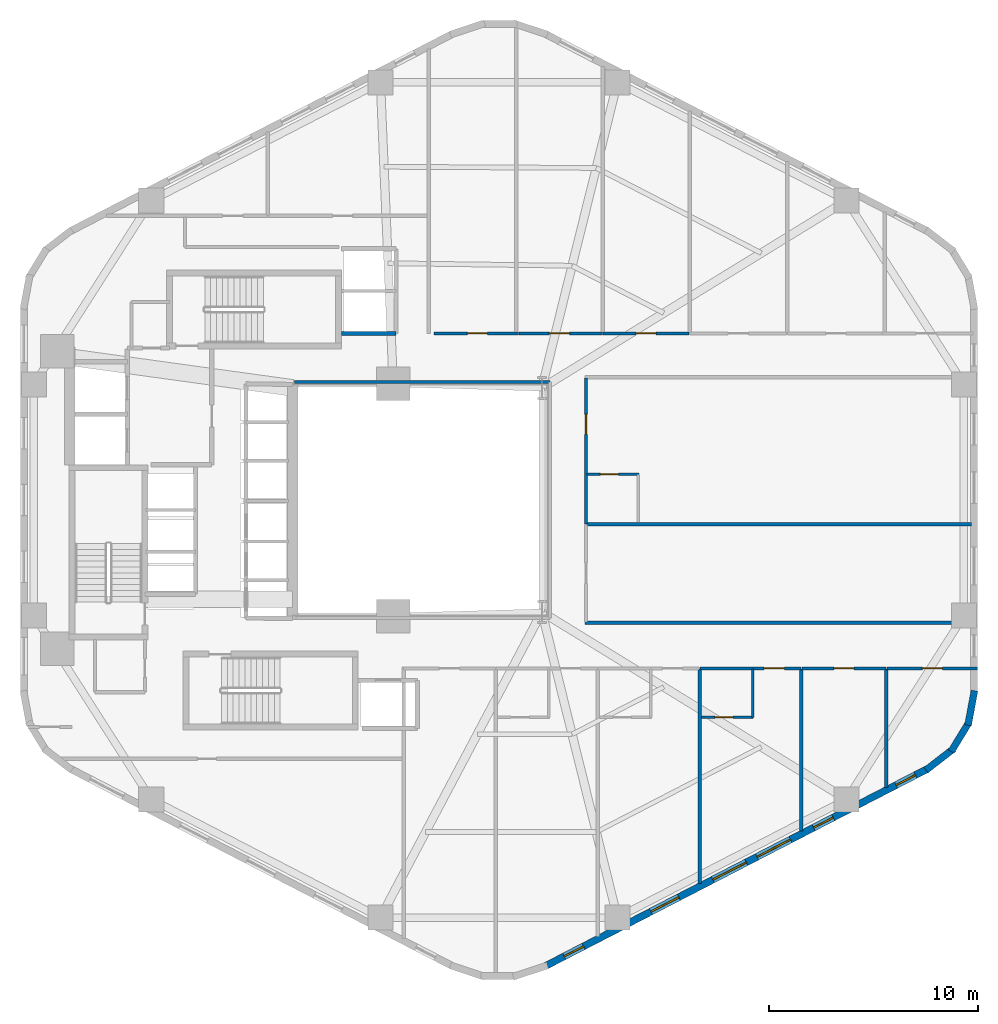
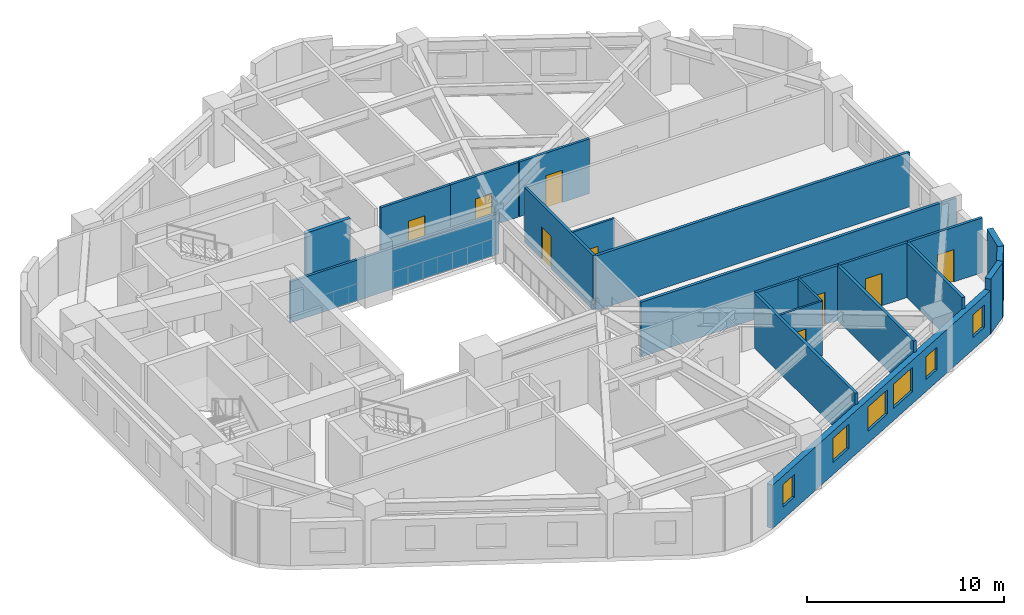
# One storey, part 4 of 7: 21 walls, 9 doors, 6 windows, 15 openings.
"""IFC4 building model written with IfcOpenShell, lengths in metres."""

from ifc_helpers import new_model, si_unit, direction, frame, frame_2d, origin, place, context, subcontext, project, spatial, rectangle, extrude, material, layer, layer_set, type_object, element, fill, save


model = new_model("IFC4")

# Units and contexts
model_context = context("Model", 3, precision=1e-05, world=origin(), true_north=direction((0.0, 1.0)))
body_context = subcontext(model_context, "Body", "Model", "MODEL_VIEW")
ifc_project = project(units=[si_unit("LENGTHUNIT", "METRE"), si_unit("AREAUNIT", "SQUARE_METRE"), si_unit("VOLUMEUNIT", "CUBIC_METRE"), si_unit("PLANEANGLEUNIT", "RADIAN"), si_unit("MASSUNIT", "GRAM", prefix="KILO"), si_unit("THERMODYNAMICTEMPERATUREUNIT", "KELVIN"), si_unit("POWERUNIT", "WATT")], contexts=[model_context])

# Site, building, storey
site_placement = place(None, origin())
site = spatial("IfcSite", under=ifc_project, at=site_placement, CompositionType="ELEMENT")
building_placement = place(site_placement, origin())
building = spatial("IfcBuilding", under=site, at=building_placement, Name="Skarre Station Tower", CompositionType="ELEMENT")
storey_placement = place(building_placement, frame((0.0, 0.0, 74.449951171875)))
storey = spatial("IfcBuildingStorey", under=building, at=storey_placement, Name="L19", CompositionType="ELEMENT", Elevation=74.449951171875)

# Wall
ifc_material_1 = material(Name="Acoustic Steel-Stud Gypsum Partition", Category="steel")
ifc_layer_1 = layer(ifc_material_1, 0.14990234375, Name="Acoustic Steel-Stud Gypsum Partition")
ifc_layer_set_1 = layer_set([ifc_layer_1], Name="Acoustic Steel-Stud Gypsum Partition")
wall_type_1 = type_object("IfcWallType", Name="Fire-Rated Corridor Acoustic Partition 150", PredefinedType="PARTITIONING", material=ifc_layer_set_1)
wall_1_placement = place(storey_placement, frame((39.840087890625, 29.639892578125, 0.0), z_axis=(0.0, 0.0, 1.0), x_axis=(-1.0, 0.0, 0.0)))
element("IfcWall", 1, at=wall_1_placement, inside=storey, type_object=wall_type_1, Name="L19 Interior Partition WL-PT-L19-ATRW-N", PredefinedType="PARTITIONING", context=body_context, shape_type="SweptSolid", body=[
    extrude(rectangle(XDim=12.2001953125, YDim=0.14990234375, at=frame_2d((6.10009765625, 0.0))), origin(), (0.0, 0.0, 1.0), 2.531005859375),
])

# Wall, opening, door
wall_2_placement = place(storey_placement, frame((38.341064453125, 31.9599609375, 0.0), z_axis=(0.0, 0.0, 1.0), x_axis=(-1.0, 0.0, 0.0)))
wall_2 = element("IfcWall", 2, at=wall_2_placement, inside=storey, type_object=wall_type_1, Name="L19 Interior Partition WL-PT-L19-NW1-CW", PredefinedType="PARTITIONING", context=body_context, shape_type="SweptSolid", body=[
    extrude(rectangle(XDim=4.051025390625, YDim=0.14990234375, at=frame_2d((2.025390625, 0.0))), origin(), (0.0, 0.0, 1.0), 3.39013671875),
])
opening_1_placement = place(wall_2_placement, frame((1.489013671875, 0.0, 0.0)))
opening_1 = element("IfcOpeningElement", 3, at=opening_1_placement, cuts=wall_2, Name="Opening DR-FD60", PredefinedType="OPENING", context=body_context, shape_type="SweptSolid", body=[
    extrude(rectangle(XDim=0.9599609375, YDim=2.0, at=frame_2d((0.47998046875, 1.0))), frame((0.0, 0.0849609375, 0.0), z_axis=(0.0, -1.0, 0.0), x_axis=(1.0, 0.0, 0.0)), (0.0, 0.0, 1.0), 0.169921875),
])
ifc_material_2 = material(Name="Nordic White-Oak Veneer Solid-Core Fire Leaf", Category="wood")
door_type_1 = type_object("IfcDoorType", Name="Corridor Suite Entry Fire Door FD60 960x2150", OperationType="SINGLE_SWING_LEFT", PredefinedType="DOOR", material=ifc_material_2)
door_1_placement = place(opening_1_placement, origin())
door_1 = element("IfcDoor", 4, at=door_1_placement, inside=storey, type_object=door_type_1, Name="L19 NW1 Entry Door", OperationType="SINGLE_SWING_LEFT", OverallHeight=2.0, OverallWidth=0.9599609375, PredefinedType="DOOR", context=body_context, shape_type="SweptSolid", body=[
    extrude(rectangle(XDim=0.9599609375, YDim=2.0, at=frame_2d((0.47998046875, 1.0))), frame((0.0, 0.02490234375, 0.0), z_axis=(0.0, -1.0, 0.0), x_axis=(1.0, 0.0, 0.0)), (0.0, 0.0, 1.0), 0.050048828125),
])
fill(opening_1, door_1)

wall_3_placement = place(storey_placement, frame((42.346923828125, 31.9599609375, 0.0), z_axis=(0.0, 0.0, 1.0), x_axis=(-1.0, 0.0, 0.0)))
wall_3 = element("IfcWall", 5, at=wall_3_placement, inside=storey, type_object=wall_type_1, Name="L19 Interior Partition WL-PT-L19-NW2-CW", PredefinedType="PARTITIONING", context=body_context, shape_type="SweptSolid", body=[
    extrude(rectangle(XDim=3.995849609375, YDim=0.14990234375, at=frame_2d((1.998046875, 0.0))), origin(), (0.0, 0.0, 1.0), 3.39013671875),
])
opening_2_placement = place(wall_3_placement, frame((1.574951171875, 0.0, 0.0)))
opening_2 = element("IfcOpeningElement", 6, at=opening_2_placement, cuts=wall_3, Name="Opening DR-FD60", PredefinedType="OPENING", context=body_context, shape_type="SweptSolid", body=[
    extrude(rectangle(XDim=0.9599609375, YDim=2.0, at=frame_2d((0.47998046875, 1.0))), frame((0.0, 0.0849609375, 0.0), z_axis=(0.0, -1.0, 0.0), x_axis=(1.0, 0.0, 0.0)), (0.0, 0.0, 1.0), 0.169921875),
])
door_2_placement = place(opening_2_placement, origin())
door_2 = element("IfcDoor", 7, at=door_2_placement, inside=storey, type_object=door_type_1, Name="L19 NW2 Entry Door", OperationType="SINGLE_SWING_LEFT", OverallHeight=2.0, OverallWidth=0.9599609375, PredefinedType="DOOR", context=body_context, shape_type="SweptSolid", body=[
    extrude(rectangle(XDim=0.9599609375, YDim=2.0, at=frame_2d((0.47998046875, 1.0))), frame((0.0, 0.02490234375, 0.0), z_axis=(0.0, -1.0, 0.0), x_axis=(1.0, 0.0, 0.0)), (0.0, 0.0, 1.0), 0.050048828125),
])
fill(opening_2, door_2)

wall_4_placement = place(storey_placement, frame((46.488037109375, 31.9599609375, 0.0), z_axis=(0.0, 0.0, 1.0), x_axis=(-1.0, 0.0, 0.0)))
wall_4 = element("IfcWall", 8, at=wall_4_placement, inside=storey, type_object=wall_type_1, Name="L19 Interior Partition WL-PT-L19-NW3-CW", PredefinedType="PARTITIONING", context=body_context, shape_type="SweptSolid", body=[
    extrude(rectangle(XDim=4.109130859375, YDim=0.14990234375, at=frame_2d((2.0546875, 0.0))), origin(), (0.0, 0.0, 1.0), 3.39013671875),
])
opening_3_placement = place(wall_4_placement, frame((1.574951171875, 0.0, 0.0)))
opening_3 = element("IfcOpeningElement", 9, at=opening_3_placement, cuts=wall_4, Name="Opening DR-FD60", PredefinedType="OPENING", context=body_context, shape_type="SweptSolid", body=[
    extrude(rectangle(XDim=0.9599609375, YDim=2.0, at=frame_2d((0.47998046875, 1.0))), frame((0.0, 0.0849609375, 0.0), z_axis=(0.0, -1.0, 0.0), x_axis=(1.0, 0.0, 0.0)), (0.0, 0.0, 1.0), 0.169921875),
])
door_3_placement = place(opening_3_placement, origin())
door_3 = element("IfcDoor", 10, at=door_3_placement, inside=storey, type_object=door_type_1, Name="L19 NW3 Entry Door", OperationType="SINGLE_SWING_LEFT", OverallHeight=2.0, OverallWidth=0.9599609375, PredefinedType="DOOR", context=body_context, shape_type="SweptSolid", body=[
    extrude(rectangle(XDim=0.9599609375, YDim=2.0, at=frame_2d((0.47998046875, 1.0))), frame((0.0, 0.02490234375, 0.0), z_axis=(0.0, -1.0, 0.0), x_axis=(1.0, 0.0, 0.0)), (0.0, 0.0, 1.0), 0.050048828125),
])
fill(opening_3, door_3)

wall_5_placement = place(storey_placement, frame((41.56005859375, 22.85400390625, 0.0), z_axis=(0.0, 0.0, 1.0), x_axis=(0.0, 1.0, 0.0)))
wall_5 = element("IfcWall", 11, at=wall_5_placement, inside=storey, type_object=wall_type_1, Name="L19 Interior Partition WL-PT-L19-EW2-CW", PredefinedType="PARTITIONING", context=body_context, shape_type="SweptSolid", body=[
    extrude(rectangle(XDim=6.966064453125, YDim=0.14990234375, at=frame_2d((3.48291015625, 0.0))), origin(), (0.0, 0.0, 1.0), 3.39013671875),
])
opening_4_placement = place(wall_5_placement, frame((4.278076171875, 0.0, 0.0)))
opening_4 = element("IfcOpeningElement", 12, at=opening_4_placement, cuts=wall_5, Name="Opening DR-FD60", PredefinedType="OPENING", context=body_context, shape_type="SweptSolid", body=[
    extrude(rectangle(XDim=0.9599609375, YDim=2.0, at=frame_2d((0.47998046875, 1.0))), frame((0.0, 0.0849609375, 0.0), z_axis=(0.0, -1.0, 0.0), x_axis=(1.0, 0.0, 0.0)), (0.0, 0.0, 1.0), 0.169921875),
])
door_4_placement = place(opening_4_placement, origin())
door_4 = element("IfcDoor", 13, at=door_4_placement, inside=storey, type_object=door_type_1, Name="L19 EW2 Entry Door", OperationType="SINGLE_SWING_LEFT", OverallHeight=2.0, OverallWidth=0.9599609375, PredefinedType="DOOR", context=body_context, shape_type="SweptSolid", body=[
    extrude(rectangle(XDim=0.9599609375, YDim=2.0, at=frame_2d((0.47998046875, 1.0))), frame((0.0, 0.02490234375, 0.0), z_axis=(0.0, -1.0, 0.0), x_axis=(1.0, 0.0, 0.0)), (0.0, 0.0, 1.0), 0.050048828125),
])
fill(opening_4, door_4)

wall_6_placement = place(storey_placement, frame((47.0, 15.9599609375, 0.0), z_axis=(0.0, 0.0, 1.0), x_axis=(1.0, 0.0, 0.0)))
wall_6 = element("IfcWall", 14, at=wall_6_placement, inside=storey, type_object=wall_type_1, Name="L19 Interior Partition WL-PT-L19-SW4-CW", PredefinedType="PARTITIONING", context=body_context, shape_type="SweptSolid", body=[
    extrude(rectangle(XDim=4.83203125, YDim=0.14990234375, at=frame_2d((2.416015625, 0.0))), origin(), (0.0, 0.0, 1.0), 3.39013671875),
])
opening_5_placement = place(wall_6_placement, frame((3.071044921875, 0.0, 0.0)))
opening_5 = element("IfcOpeningElement", 15, at=opening_5_placement, cuts=wall_6, Name="Opening DR-FD60", PredefinedType="OPENING", context=body_context, shape_type="SweptSolid", body=[
    extrude(rectangle(XDim=0.9599609375, YDim=2.0, at=frame_2d((0.47998046875, 1.0))), frame((0.0, 0.0849609375, 0.0), z_axis=(0.0, -1.0, 0.0), x_axis=(1.0, 0.0, 0.0)), (0.0, 0.0, 1.0), 0.169921875),
])
door_5_placement = place(opening_5_placement, origin())
door_5 = element("IfcDoor", 16, at=door_5_placement, inside=storey, type_object=door_type_1, Name="L19 SW4 Entry Door", OperationType="SINGLE_SWING_LEFT", OverallHeight=2.0, OverallWidth=0.9599609375, PredefinedType="DOOR", context=body_context, shape_type="SweptSolid", body=[
    extrude(rectangle(XDim=0.9599609375, YDim=2.0, at=frame_2d((0.47998046875, 1.0))), frame((0.0, 0.02490234375, 0.0), z_axis=(0.0, -1.0, 0.0), x_axis=(1.0, 0.0, 0.0)), (0.0, 0.0, 1.0), 0.050048828125),
])
fill(opening_5, door_5)

wall_7_placement = place(storey_placement, frame((51.867919921875, 15.9599609375, 0.0), z_axis=(0.0, 0.0, 1.0), x_axis=(1.0, 0.0, 0.0)))
wall_7 = element("IfcWall", 17, at=wall_7_placement, inside=storey, type_object=wall_type_1, Name="L19 Interior Partition WL-PT-L19-SW5-CW", PredefinedType="PARTITIONING", context=body_context, shape_type="SweptSolid", body=[
    extrude(rectangle(XDim=4.02099609375, YDim=0.14990234375, at=frame_2d((2.010498046875, 0.0))), origin(), (0.0, 0.0, 1.0), 3.39013671875),
])
opening_6_placement = place(wall_7_placement, frame((1.531005859375, 0.0, 0.0)))
opening_6 = element("IfcOpeningElement", 18, at=opening_6_placement, cuts=wall_7, Name="Opening DR-FD60", PredefinedType="OPENING", context=body_context, shape_type="SweptSolid", body=[
    extrude(rectangle(XDim=0.9599609375, YDim=2.0, at=frame_2d((0.47998046875, 1.0))), frame((0.0, 0.0849609375, 0.0), z_axis=(0.0, -1.0, 0.0), x_axis=(1.0, 0.0, 0.0)), (0.0, 0.0, 1.0), 0.169921875),
])
door_6_placement = place(opening_6_placement, origin())
door_6 = element("IfcDoor", 19, at=door_6_placement, inside=storey, type_object=door_type_1, Name="L19 SW5 Entry Door", OperationType="SINGLE_SWING_LEFT", OverallHeight=2.0, OverallWidth=0.9599609375, PredefinedType="DOOR", context=body_context, shape_type="SweptSolid", body=[
    extrude(rectangle(XDim=0.9599609375, YDim=2.0, at=frame_2d((0.47998046875, 1.0))), frame((0.0, 0.02490234375, 0.0), z_axis=(0.0, -1.0, 0.0), x_axis=(1.0, 0.0, 0.0)), (0.0, 0.0, 1.0), 0.050048828125),
])
fill(opening_6, door_6)

wall_8_placement = place(storey_placement, frame((55.925048828125, 15.9599609375, 0.0), z_axis=(0.0, 0.0, 1.0), x_axis=(1.0, 0.0, 0.0)))
wall_8 = element("IfcWall", 20, at=wall_8_placement, inside=storey, type_object=wall_type_1, Name="L19 Interior Partition WL-PT-L19-SW6-CW", PredefinedType="PARTITIONING", context=body_context, shape_type="SweptSolid", body=[
    extrude(rectangle(XDim=4.327880859375, YDim=0.14990234375, at=frame_2d((2.1640625, 0.0))), origin(), (0.0, 0.0, 1.0), 3.39013671875),
])
opening_7_placement = place(wall_8_placement, frame((1.697998046875, 0.0, 0.0)))
opening_7 = element("IfcOpeningElement", 21, at=opening_7_placement, cuts=wall_8, Name="Opening DR-FD60", PredefinedType="OPENING", context=body_context, shape_type="SweptSolid", body=[
    extrude(rectangle(XDim=0.9599609375, YDim=2.0, at=frame_2d((0.47998046875, 1.0))), frame((0.0, 0.0849609375, 0.0), z_axis=(0.0, -1.0, 0.0), x_axis=(1.0, 0.0, 0.0)), (0.0, 0.0, 1.0), 0.169921875),
])
door_7_placement = place(opening_7_placement, origin())
door_7 = element("IfcDoor", 22, at=door_7_placement, inside=storey, type_object=door_type_1, Name="L19 SW6 Entry Door", OperationType="SINGLE_SWING_LEFT", OverallHeight=2.0, OverallWidth=0.9599609375, PredefinedType="DOOR", context=body_context, shape_type="SweptSolid", body=[
    extrude(rectangle(XDim=0.9599609375, YDim=2.0, at=frame_2d((0.47998046875, 1.0))), frame((0.0, 0.02490234375, 0.0), z_axis=(0.0, -1.0, 0.0), x_axis=(1.0, 0.0, 0.0)), (0.0, 0.0, 1.0), 0.050048828125),
])
fill(opening_7, door_7)

ifc_material_3 = material(Name="Insulated Timber-Stud Gypsum Partition", Category="wood")
ifc_layer_2 = layer(ifc_material_3, 0.1201171875, Name="Insulated Timber-Stud Gypsum Partition")
ifc_layer_set_2 = layer_set([ifc_layer_2], Name="Insulated Timber-Stud Gypsum Partition")
wall_type_2 = type_object("IfcWallType", Name="Internal Suite Acoustic Partition 120", PredefinedType="PARTITIONING", material=ifc_layer_set_2)
wall_9_placement = place(storey_placement, frame((41.60009765625, 25.220947265625, 0.0), z_axis=(0.0, 0.0, 1.0), x_axis=(1.0, 0.0, 0.0)))
wall_9 = element("IfcWall", 23, at=wall_9_placement, inside=storey, type_object=wall_type_2, Name="L19 Interior Partition WL-PT-L19-EW2-SA1", PredefinedType="PARTITIONING", context=body_context, shape_type="SweptSolid", body=[
    extrude(rectangle(XDim=2.47998046875, YDim=0.1201171875, at=frame_2d((1.239990234375, 0.0))), origin(), (0.0, 0.0, 1.0), 3.39013671875),
])
opening_8_placement = place(wall_9_placement, frame((0.64990234375, 0.0, 0.0)))
opening_8 = element("IfcOpeningElement", 24, at=opening_8_placement, cuts=wall_9, Name="Opening DR-INT86", PredefinedType="OPENING", context=body_context, shape_type="SweptSolid", body=[
    extrude(rectangle(XDim=0.860107421875, YDim=2.0, at=frame_2d((0.43017578125, 1.0))), frame((0.0, 0.070068359375, 0.0), z_axis=(0.0, -1.0, 0.0), x_axis=(1.0, 0.0, 0.0)), (0.0, 0.0, 1.0), 0.14013671875),
])
ifc_material_4 = material(Name="Nordic Birch Acoustic Solid-Core Timber Leaf", Category="wood")
door_type_2 = type_object("IfcDoorType", Name="Internal En-Suite & Bedroom Door 860x2100", OperationType="SINGLE_SWING_LEFT", PredefinedType="DOOR", material=ifc_material_4)
door_8_placement = place(opening_8_placement, origin())
door_8 = element("IfcDoor", 25, at=door_8_placement, inside=storey, type_object=door_type_2, Name="L19 EW2 Alcove Store Door", OperationType="SINGLE_SWING_LEFT", OverallHeight=2.0, OverallWidth=0.860107421875, PredefinedType="DOOR", context=body_context, shape_type="SweptSolid", body=[
    extrude(rectangle(XDim=0.860107421875, YDim=2.0, at=frame_2d((0.43017578125, 1.0))), frame((0.0, 0.02490234375, 0.0), z_axis=(0.0, -1.0, 0.0), x_axis=(1.0, 0.0, 0.0)), (0.0, 0.0, 1.0), 0.050048828125),
])
fill(opening_8, door_8)

wall_10_placement = place(storey_placement, frame((47.06689453125, 13.6201171875, 0.0), z_axis=(0.0, 0.0, 1.0), x_axis=(1.0, 0.0, 0.0)))
wall_10 = element("IfcWall", 26, at=wall_10_placement, inside=storey, type_object=wall_type_2, Name="L19 Interior Partition WL-PT-L19-SW4-SA1", PredefinedType="PARTITIONING", context=body_context, shape_type="SweptSolid", body=[
    extrude(rectangle(XDim=2.480224609375, YDim=0.1201171875, at=frame_2d((1.240234375, 0.0))), origin(), (0.0, 0.0, 1.0), 3.39013671875),
])
opening_9_placement = place(wall_10_placement, frame((0.64990234375, 0.0, 0.0)))
opening_9 = element("IfcOpeningElement", 27, at=opening_9_placement, cuts=wall_10, Name="Opening DR-INT86", PredefinedType="OPENING", context=body_context, shape_type="SweptSolid", body=[
    extrude(rectangle(XDim=0.860107421875, YDim=2.0, at=frame_2d((0.43017578125, 1.0))), frame((0.0, 0.070068359375, 0.0), z_axis=(0.0, -1.0, 0.0), x_axis=(1.0, 0.0, 0.0)), (0.0, 0.0, 1.0), 0.14013671875),
])
door_9_placement = place(opening_9_placement, origin())
door_9 = element("IfcDoor", 28, at=door_9_placement, inside=storey, type_object=door_type_2, Name="L19 SW4 Alcove Store Door", OperationType="SINGLE_SWING_LEFT", OverallHeight=2.0, OverallWidth=0.860107421875, PredefinedType="DOOR", context=body_context, shape_type="SweptSolid", body=[
    extrude(rectangle(XDim=0.860107421875, YDim=2.0, at=frame_2d((0.43017578125, 1.0))), frame((0.0, 0.02490234375, 0.0), z_axis=(0.0, -1.0, 0.0), x_axis=(1.0, 0.0, 0.0)), (0.0, 0.0, 1.0), 0.050048828125),
])
fill(opening_9, door_9)

# Wall
wall_11_placement = place(storey_placement, frame((49.51708984375, 13.6201171875, 0.0), z_axis=(0.0, 0.0, 1.0), x_axis=(0.0, 1.0, 0.0)))
element("IfcWall", 29, at=wall_11_placement, inside=storey, type_object=wall_type_2, Name="L19 Interior Partition WL-PT-L19-SW4-SA2", PredefinedType="PARTITIONING", context=body_context, shape_type="SweptSolid", body=[
    extrude(rectangle(XDim=2.2998046875, YDim=0.1201171875, at=frame_2d((1.14990234375, 0.0))), origin(), (0.0, 0.0, 1.0), 3.39013671875),
])

# Wall, openings, windows
ifc_material_5 = material(Name="Precast concrete C45/55", Category="concrete")
ifc_layer_3 = layer(ifc_material_5, 0.340087890625, Name="Precast concrete C45/55")
ifc_layer_set_3 = layer_set([ifc_layer_3], Name="Precast concrete C45/55")
wall_type_3 = type_object("IfcWallType", Name="Nordic Honed Precast Facet Wall 340", PredefinedType="STANDARD", material=ifc_layer_set_3)
wall_12_placement = place(storey_placement, frame((57.8759765625, 11.158935546875, 0.0), z_axis=(0.0, 0.0, 1.0), x_axis=(-0.888634413993, -0.458616264721, 0.0)))
wall_12 = element("IfcWall", 30, at=wall_12_placement, inside=storey, type_object=wall_type_3, Name="L19 Facet 4 Nordic Precast Masonry Wall", PredefinedType="STANDARD", context=body_context, shape_type="SweptSolid", body=[
    extrude(rectangle(XDim=20.53125, YDim=0.340087890625, at=frame_2d((10.265625, 0.0))), origin(), (0.0, 0.0, 1.0), 2.68408203125),
])
opening_10_placement = place(wall_12_placement, frame((0.64599609375, 0.0, 0.75)))
opening_10 = element("IfcOpeningElement", 31, at=opening_10_placement, cuts=wall_12, Name="Opening WN-SLT", PredefinedType="OPENING", context=body_context, shape_type="SweptSolid", body=[
    extrude(rectangle(XDim=1.050048828125, YDim=1.39990234375, at=frame_2d((0.52490234375, 0.699951171875))), frame((0.0, 0.179931640625, 0.0), z_axis=(0.0, -1.0, 0.0), x_axis=(1.0, 0.0, 0.0)), (0.0, 0.0, 1.0), 0.360107421875),
])
opening_11_placement = place(wall_12_placement, frame((5.076904296875, 0.0, 0.75)))
opening_11 = element("IfcOpeningElement", 32, at=opening_11_placement, cuts=wall_12, Name="Opening WN-SLT", PredefinedType="OPENING", context=body_context, shape_type="SweptSolid", body=[
    extrude(rectangle(XDim=1.050048828125, YDim=1.39990234375, at=frame_2d((0.52490234375, 0.699951171875))), frame((0.0, 0.179931640625, 0.0), z_axis=(0.0, -1.0, 0.0), x_axis=(1.0, 0.0, 0.0)), (0.0, 0.0, 1.0), 0.360107421875),
])
opening_12_placement = place(wall_12_placement, frame((7.3701171875, 0.0, 0.75)))
opening_12 = element("IfcOpeningElement", 33, at=opening_12_placement, cuts=wall_12, Name="Opening WN-Z1A", PredefinedType="OPENING", context=body_context, shape_type="SweptSolid", body=[
    extrude(rectangle(XDim=1.800048828125, YDim=1.5, at=frame_2d((0.89990234375, 0.75))), frame((0.0, 0.179931640625, 0.0), z_axis=(0.0, -1.0, 0.0), x_axis=(1.0, 0.0, 0.0)), (0.0, 0.0, 1.0), 0.360107421875),
])
opening_13_placement = place(wall_12_placement, frame((9.74609375, 0.0, 0.75)))
opening_13 = element("IfcOpeningElement", 34, at=opening_13_placement, cuts=wall_12, Name="Opening WN-Z1A", PredefinedType="OPENING", context=body_context, shape_type="SweptSolid", body=[
    extrude(rectangle(XDim=1.800048828125, YDim=1.5, at=frame_2d((0.89990234375, 0.75))), frame((0.0, 0.179931640625, 0.0), z_axis=(0.0, -1.0, 0.0), x_axis=(1.0, 0.0, 0.0)), (0.0, 0.0, 1.0), 0.360107421875),
])
opening_14_placement = place(wall_12_placement, frame((13.3720703125, 0.0, 0.75)))
opening_14 = element("IfcOpeningElement", 35, at=opening_14_placement, cuts=wall_12, Name="Opening WN-Z1B", PredefinedType="OPENING", context=body_context, shape_type="SweptSolid", body=[
    extrude(rectangle(XDim=1.5, YDim=1.5, at=frame_2d((0.75, 0.75))), frame((0.0, 0.179931640625, 0.0), z_axis=(0.0, -1.0, 0.0), x_axis=(1.0, 0.0, 0.0)), (0.0, 0.0, 1.0), 0.360107421875),
])
opening_15_placement = place(wall_12_placement, frame((18.48388671875, 0.0, 0.75)))
opening_15 = element("IfcOpeningElement", 36, at=opening_15_placement, cuts=wall_12, Name="Opening WN-SLT", PredefinedType="OPENING", context=body_context, shape_type="SweptSolid", body=[
    extrude(rectangle(XDim=1.050048828125, YDim=1.39990234375, at=frame_2d((0.52490234375, 0.699951171875))), frame((0.0, 0.179931640625, 0.0), z_axis=(0.0, -1.0, 0.0), x_axis=(1.0, 0.0, 0.0)), (0.0, 0.0, 1.0), 0.360107421875),
])
ifc_material_6 = material(Name="Low-Iron Triple Glazing with Bronze Anodized Frame", Category="glass")
window_type_1 = type_object("IfcWindowType", Name="Nordic Corner Slot Window 1050x1400", PartitioningType="SINGLE_PANEL", PredefinedType="WINDOW", material=ifc_material_6)
window_1_placement = place(opening_10_placement, origin())
window_1 = element("IfcWindow", 37, at=window_1_placement, inside=storey, type_object=window_type_1, Name="L19 Facade Window WL-FAC-L19-F4-1", OverallHeight=1.39990234375, OverallWidth=1.050048828125, PartitioningType="SINGLE_PANEL", PredefinedType="WINDOW", context=body_context, shape_type="SweptSolid", body=[
    extrude(rectangle(XDim=1.050048828125, YDim=1.39990234375, at=frame_2d((0.52490234375, 0.699951171875))), frame((0.0, 0.030029296875, 0.0), z_axis=(0.0, -1.0, 0.0), x_axis=(1.0, 0.0, 0.0)), (0.0, 0.0, 1.0), 0.06005859375),
])
fill(opening_10, window_1)
window_2_placement = place(opening_11_placement, origin())
window_2 = element("IfcWindow", 38, at=window_2_placement, inside=storey, type_object=window_type_1, Name="L19 Facade Window WL-FAC-L19-F4-2", OverallHeight=1.39990234375, OverallWidth=1.050048828125, PartitioningType="SINGLE_PANEL", PredefinedType="WINDOW", context=body_context, shape_type="SweptSolid", body=[
    extrude(rectangle(XDim=1.050048828125, YDim=1.39990234375, at=frame_2d((0.52490234375, 0.699951171875))), frame((0.0, 0.030029296875, 0.0), z_axis=(0.0, -1.0, 0.0), x_axis=(1.0, 0.0, 0.0)), (0.0, 0.0, 1.0), 0.06005859375),
])
fill(opening_11, window_2)
window_3_placement = place(opening_15_placement, origin())
window_3 = element("IfcWindow", 39, at=window_3_placement, inside=storey, type_object=window_type_1, Name="L19 Facade Window WL-FAC-L19-F4-6", OverallHeight=1.39990234375, OverallWidth=1.050048828125, PartitioningType="SINGLE_PANEL", PredefinedType="WINDOW", context=body_context, shape_type="SweptSolid", body=[
    extrude(rectangle(XDim=1.050048828125, YDim=1.39990234375, at=frame_2d((0.52490234375, 0.699951171875))), frame((0.0, 0.030029296875, 0.0), z_axis=(0.0, -1.0, 0.0), x_axis=(1.0, 0.0, 0.0)), (0.0, 0.0, 1.0), 0.06005859375),
])
fill(opening_15, window_3)
window_type_2 = type_object("IfcWindowType", Name="Nordic Punched Triple-Glazed Window 1500x1500", PartitioningType="SINGLE_PANEL", PredefinedType="WINDOW", material=ifc_material_6)
window_4_placement = place(opening_14_placement, origin())
window_4 = element("IfcWindow", 40, at=window_4_placement, inside=storey, type_object=window_type_2, Name="L19 Facade Window WL-FAC-L19-F4-5", OverallHeight=1.5, OverallWidth=1.5, PartitioningType="SINGLE_PANEL", PredefinedType="WINDOW", context=body_context, shape_type="SweptSolid", body=[
    extrude(rectangle(XDim=1.5, YDim=1.5, at=frame_2d((0.75, 0.75))), frame((0.0, 0.030029296875, 0.0), z_axis=(0.0, -1.0, 0.0), x_axis=(1.0, 0.0, 0.0)), (0.0, 0.0, 1.0), 0.06005859375),
])
fill(opening_14, window_4)
window_type_3 = type_object("IfcWindowType", Name="Nordic Punched Triple-Glazed Window 1800x1500", PartitioningType="SINGLE_PANEL", PredefinedType="WINDOW", material=ifc_material_6)
window_5_placement = place(opening_12_placement, origin())
window_5 = element("IfcWindow", 41, at=window_5_placement, inside=storey, type_object=window_type_3, Name="L19 Facade Window WL-FAC-L19-F4-3", OverallHeight=1.5, OverallWidth=1.800048828125, PartitioningType="SINGLE_PANEL", PredefinedType="WINDOW", context=body_context, shape_type="SweptSolid", body=[
    extrude(rectangle(XDim=1.800048828125, YDim=1.5, at=frame_2d((0.89990234375, 0.75))), frame((0.0, 0.030029296875, 0.0), z_axis=(0.0, -1.0, 0.0), x_axis=(1.0, 0.0, 0.0)), (0.0, 0.0, 1.0), 0.06005859375),
])
fill(opening_12, window_5)
window_6_placement = place(opening_13_placement, origin())
window_6 = element("IfcWindow", 42, at=window_6_placement, inside=storey, type_object=window_type_3, Name="L19 Facade Window WL-FAC-L19-F4-4", OverallHeight=1.5, OverallWidth=1.800048828125, PartitioningType="SINGLE_PANEL", PredefinedType="WINDOW", context=body_context, shape_type="SweptSolid", body=[
    extrude(rectangle(XDim=1.800048828125, YDim=1.5, at=frame_2d((0.89990234375, 0.75))), frame((0.0, 0.030029296875, 0.0), z_axis=(0.0, -1.0, 0.0), x_axis=(1.0, 0.0, 0.0)), (0.0, 0.0, 1.0), 0.06005859375),
])
fill(opening_13, window_6)

# Walls
ifc_layer_4 = layer(ifc_material_5, 0.330078125, Name="Precast concrete C45/55")
ifc_layer_set_4 = layer_set([ifc_layer_4], Name="Precast concrete C45/55")
wall_type_4 = type_object("IfcWallType", Name="Nordic Rounded Corner Precast Wall 330", PredefinedType="STANDARD", material=ifc_layer_set_4)
wall_13_placement = place(storey_placement, frame((60.113037109375, 14.89208984375, 0.0), z_axis=(0.0, 0.0, 1.0), x_axis=(-0.181714143354, -0.983351397063, 0.0)))
element("IfcWall", 43, at=wall_13_placement, inside=storey, type_object=wall_type_4, Name="L19 Rounded Corner Precast Wall F5-1", PredefinedType="STANDARD", context=body_context, shape_type="SweptSolid", body=[
    extrude(rectangle(XDim=1.677978515625, YDim=0.330078125, at=frame_2d((0.8388671875, 0.0))), origin(), (0.0, 0.0, 1.0), 3.39013671875),
])
wall_14_placement = place(storey_placement, frame((59.875, 13.4169921875, 0.0), z_axis=(0.0, 0.0, 1.0), x_axis=(-0.520584129191, -0.853810379671, 0.0)))
element("IfcWall", 44, at=wall_14_placement, inside=storey, type_object=wall_type_4, Name="L19 Rounded Corner Precast Wall F5-2", PredefinedType="STANDARD", context=body_context, shape_type="SweptSolid", body=[
    extrude(rectangle(XDim=1.677001953125, YDim=0.330078125, at=frame_2d((0.83837890625, 0.0))), origin(), (0.0, 0.0, 1.0), 3.39013671875),
])
wall_15_placement = place(storey_placement, frame((59.126953125, 12.125, 0.0), z_axis=(0.0, 0.0, 1.0), x_axis=(-0.790691856293, -0.61221433207, 0.0)))
element("IfcWall", 45, at=wall_15_placement, inside=storey, type_object=wall_type_4, Name="L19 Rounded Corner Precast Wall F5-3", PredefinedType="STANDARD", context=body_context, shape_type="SweptSolid", body=[
    extrude(rectangle(XDim=1.67578125, YDim=0.330078125, at=frame_2d((0.837890625, 0.0))), origin(), (0.0, 0.0, 1.0), 3.39013671875),
])
ifc_material_7 = material(Name="Gypsum Concrete Shaft Assembly C30/37", Category="concrete")
ifc_layer_5 = layer(ifc_material_7, 0.199951171875, Name="Gypsum Concrete Shaft Assembly C30/37")
ifc_layer_set_5 = layer_set([ifc_layer_5], Name="Gypsum Concrete Shaft Assembly C30/37")
wall_type_5 = type_object("IfcWallType", Name="Shaft & Core Fire Partition 200", PredefinedType="PARTITIONING", material=ifc_layer_set_5)
wall_16_placement = place(storey_placement, frame((32.47998046875, 31.949951171875, 0.0), z_axis=(0.0, 0.0, 1.0), x_axis=(-1.0, 0.0, 0.0)))
element("IfcWall", 46, at=wall_16_placement, inside=storey, type_object=wall_type_5, Name="L19 Interior Partition WL-PT-L19-EX-S", PredefinedType="PARTITIONING", context=body_context, shape_type="SweptSolid", body=[
    extrude(rectangle(XDim=2.60009765625, YDim=0.199951171875, at=frame_2d((1.300048828125, 0.0))), origin(), (0.0, 0.0, 1.0), 3.39013671875),
])
ifc_layer_6 = layer(ifc_material_1, 0.1650390625, Name="Acoustic Steel-Stud Gypsum Partition")
ifc_layer_set_6 = layer_set([ifc_layer_6], Name="Acoustic Steel-Stud Gypsum Partition")
wall_type_6 = type_object("IfcWallType", Name="Suite Demising Acoustic Partition 165", PredefinedType="PARTITIONING", material=ifc_layer_set_6)
wall_17_placement = place(storey_placement, frame((41.52001953125, 18.139892578125, 0.0), z_axis=(0.0, 0.0, 1.0), x_axis=(1.0, 0.0, 0.0)))
element("IfcWall", 47, at=wall_17_placement, inside=storey, type_object=wall_type_6, Name="L19 Interior Partition WL-PT-L19-EWB-S", PredefinedType="PARTITIONING", context=body_context, shape_type="SweptSolid", body=[
    extrude(rectangle(XDim=18.452880859375, YDim=0.1650390625, at=frame_2d((9.2265625, 0.0))), origin(), (0.0, 0.0, 1.0), 3.39013671875),
])
wall_18_placement = place(storey_placement, frame((41.590087890625, 22.8359375, 0.0), z_axis=(0.0, 0.0, 1.0), x_axis=(1.0, 0.0, 0.0)))
element("IfcWall", 48, at=wall_18_placement, inside=storey, type_object=wall_type_6, Name="L19 Interior Partition WL-PT-L19-EW-P1", PredefinedType="PARTITIONING", context=body_context, shape_type="SweptSolid", body=[
    extrude(rectangle(XDim=18.3828125, YDim=0.1650390625, at=frame_2d((9.19140625, 0.0))), origin(), (0.0, 0.0, 1.0), 3.39013671875),
])
wall_19_placement = place(storey_placement, frame((46.98193359375, 5.672119140625, 0.0), z_axis=(0.0, 0.0, 1.0), x_axis=(0.0, 1.0, 0.0)))
element("IfcWall", 49, at=wall_19_placement, inside=storey, type_object=wall_type_6, Name="L19 Interior Partition WL-PT-L19-SW-P3", PredefinedType="PARTITIONING", context=body_context, shape_type="SweptSolid", body=[
    extrude(rectangle(XDim=10.2578125, YDim=0.1650390625, at=frame_2d((5.12890625, 0.0))), origin(), (0.0, 0.0, 1.0), 3.39013671875),
])
wall_20_placement = place(storey_placement, frame((51.85009765625, 8.18408203125, 0.0), z_axis=(0.0, 0.0, 1.0), x_axis=(0.0, 1.0, 0.0)))
element("IfcWall", 50, at=wall_20_placement, inside=storey, type_object=wall_type_6, Name="L19 Interior Partition WL-PT-L19-SW-P4", PredefinedType="PARTITIONING", context=body_context, shape_type="SweptSolid", body=[
    extrude(rectangle(XDim=7.745849609375, YDim=0.1650390625, at=frame_2d((3.873046875, 0.0))), origin(), (0.0, 0.0, 1.0), 3.39013671875),
])
wall_21_placement = place(storey_placement, frame((55.906982421875, 10.278076171875, 0.0), z_axis=(0.0, 0.0, 1.0), x_axis=(0.0, 1.0, 0.0)))
element("IfcWall", 51, at=wall_21_placement, inside=storey, type_object=wall_type_6, Name="L19 Interior Partition WL-PT-L19-SW-P5", PredefinedType="PARTITIONING", context=body_context, shape_type="SweptSolid", body=[
    extrude(rectangle(XDim=5.65185546875, YDim=0.1650390625, at=frame_2d((2.825927734375, 0.0))), origin(), (0.0, 0.0, 1.0), 3.39013671875),
])

save(model, "model.ifc")
